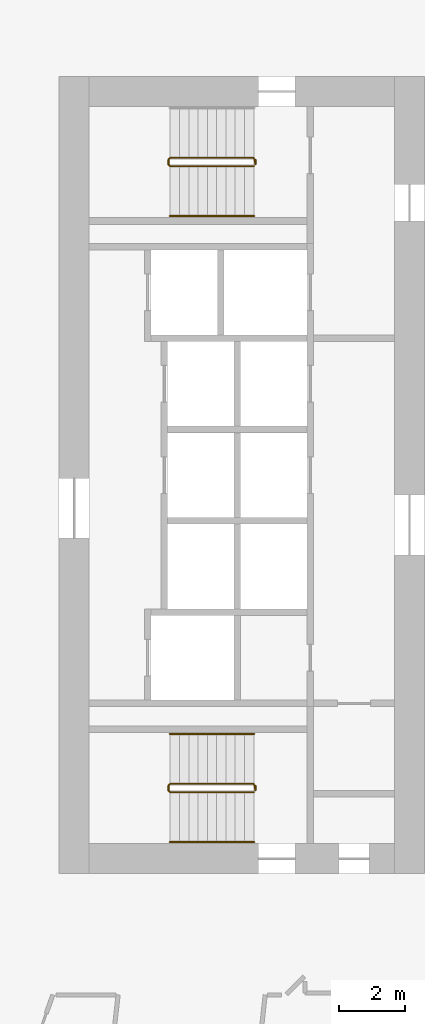
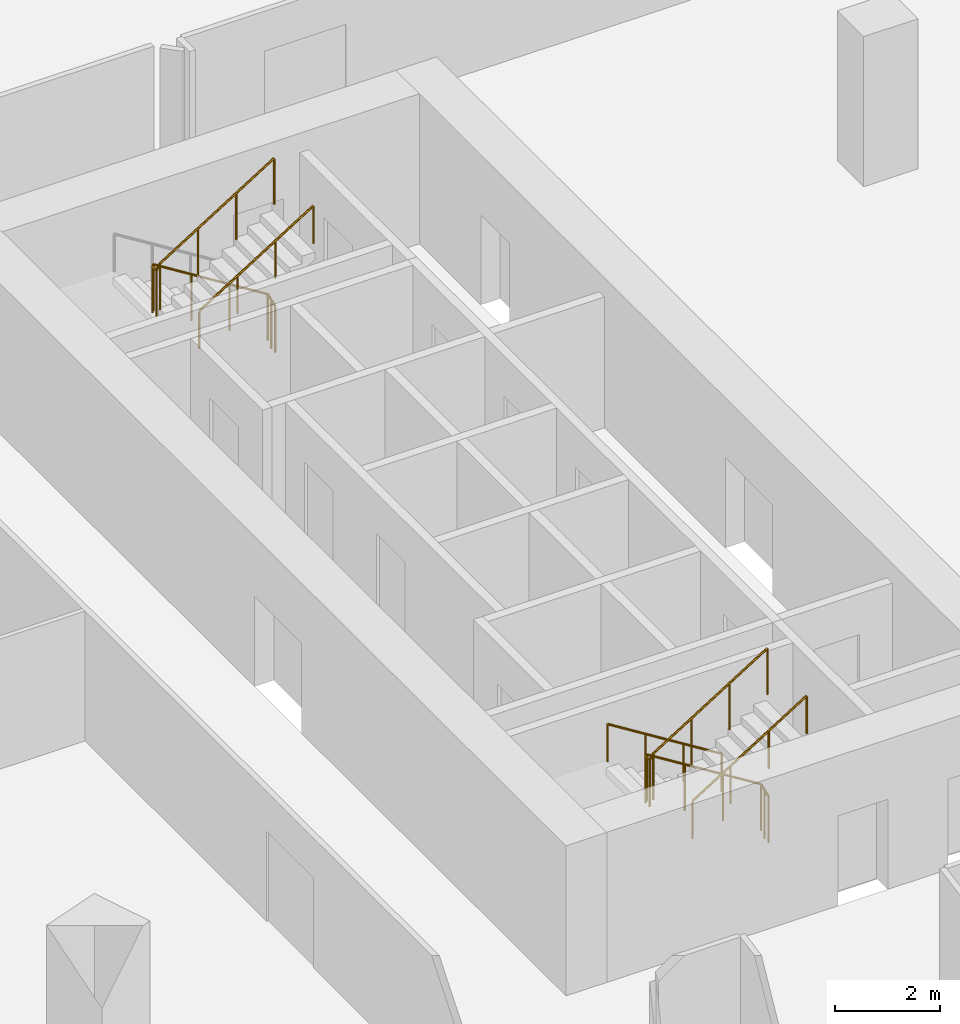
# One storey, part 34 of 38: 5 railings.
"""IFC4 building model written with IfcOpenShell, lengths in metres."""

from ifc_helpers import new_model, si_unit, direction, frame, origin, origin_2d, place, context, subcontext, project, spatial, circle, extrude, material, type_object, element, save


model = new_model("IFC4")

# Units and contexts
model_context = context("Model", 3, precision=1e-05, world=origin(), true_north=direction((0.0, 1.0)))
body_context = subcontext(model_context, "Body", "Model", "MODEL_VIEW")
ifc_project = project(units=[si_unit("LENGTHUNIT", "METRE"), si_unit("AREAUNIT", "SQUARE_METRE"), si_unit("VOLUMEUNIT", "CUBIC_METRE"), si_unit("PLANEANGLEUNIT", "RADIAN"), si_unit("MASSUNIT", "GRAM", prefix="KILO")], contexts=[model_context])

# Site, building, storey
site_placement = place(None, origin())
site = spatial("IfcSite", under=ifc_project, at=site_placement, CompositionType="ELEMENT")
building_placement = place(site_placement, origin())
building = spatial("IfcBuilding", under=site, at=building_placement, Name="Orlundy Tower", CompositionType="ELEMENT")
storey_placement = place(building_placement, frame((0.0, 0.0, 72.800048828125)))
storey = spatial("IfcBuildingStorey", under=building, at=storey_placement, Name="L17", CompositionType="ELEMENT", Elevation=72.800048828125)

# Railings
ifc_material_1 = material(Name="Steel balustrade", Category="steel")
railing_type_1 = type_object("IfcRailingType", Name="Stair Guard 1100", PredefinedType="GUARDRAIL", material=ifc_material_1)
railing_1_placement = place(storey_placement, frame((-13.090087890625, 9.5, 0.0)))
element("IfcRailing", 1, at=railing_1_placement, inside=storey, type_object=railing_type_1, Name="L17 ST-W1 stair guard 1", PredefinedType="GUARDRAIL", context=body_context, shape_type="SweptSolid", body=[
    extrude(circle(Radius=0.02392578125, at=origin_2d()), frame((0.0, 0.0, 1.076171875), z_axis=(0.0, -1.0, 0.0), x_axis=(1.0, 0.0, 0.0)), (0.0, 0.0, 1.0), 0.14990234375),
    extrude(circle(Radius=0.02392578125, at=origin_2d()), frame((0.0, -0.14990234375, 1.076171875), z_axis=(-0.18420542264, 0.739530593833, 0.647427882513), x_axis=(-0.970351222016, -0.241699205484, 0.0)), (0.0, 0.0, 1.0), 0.270263671875),
    extrude(circle(Radius=0.02392578125, at=origin_2d()), frame((-0.0498046875, 0.050048828125, 1.2509765625), z_axis=(-0.848007534815, 0.0, 0.529984170421), x_axis=(0.0, -1.0, 0.0)), (0.0, 0.0, 1.0), 2.9716796875),
    extrude(circle(Radius=0.02392578125, at=origin_2d()), frame((-2.56982421875, 0.050048828125, 2.826171875), z_axis=(-0.707106781187, -0.707106781187, 0.0), x_axis=(0.707106781187, -0.707106781187, 0.0)), (0.0, 0.0, 1.0), 0.07080078125),
    extrude(circle(Radius=0.02392578125, at=origin_2d()), frame((-2.619873046875, 0.0, 2.826171875), z_axis=(0.0, -1.0, 0.0), x_axis=(1.0, 0.0, 0.0)), (0.0, 0.0, 1.0), 0.14990234375),
    extrude(circle(Radius=0.02392578125, at=origin_2d()), frame((-2.619873046875, -0.14990234375, 2.826171875), z_axis=(0.265065253269, -0.265065253269, 0.927081885822), x_axis=(0.707106781187, 0.707106781187, 0.0)), (0.0, 0.0, 1.0), 0.188720703125),
    extrude(circle(Radius=0.02392578125, at=origin_2d()), frame((-2.56982421875, -0.199951171875, 3.0009765625), z_axis=(0.848007534815, 0.0, 0.529984170421), x_axis=(0.0, 1.0, 0.0)), (0.0, 0.0, 1.0), 2.9716796875),
    extrude(circle(Radius=0.02099609375, at=origin_2d()), origin(), (0.0, 0.0, 1.0), 1.052001953125),
    extrude(circle(Radius=0.02099609375, at=origin_2d()), frame((0.0, -0.14990234375, 0.0)), (0.0, 0.0, 1.0), 1.052001953125),
    extrude(circle(Radius=0.02099609375, at=origin_2d()), frame((-0.0498046875, 0.050048828125, 0.175048828125)), (0.0, 0.0, 1.0), 1.052001953125),
    extrude(circle(Radius=0.02099609375, at=origin_2d()), frame((-0.889892578125, 0.050048828125, 0.699951171875)), (0.0, 0.0, 1.0), 1.052001953125),
    extrude(circle(Radius=0.02099609375, at=origin_2d()), frame((-1.729736328125, 0.050048828125, 1.22509765625)), (0.0, 0.0, 1.0), 1.052001953125),
    extrude(circle(Radius=0.02099609375, at=origin_2d()), frame((-2.56982421875, 0.050048828125, 1.75)), (0.0, 0.0, 1.0), 1.052001953125),
    extrude(circle(Radius=0.02099609375, at=origin_2d()), frame((-2.619873046875, 0.0, 1.75)), (0.0, 0.0, 1.0), 1.052001953125),
    extrude(circle(Radius=0.02099609375, at=origin_2d()), frame((-2.619873046875, -0.14990234375, 1.75)), (0.0, 0.0, 1.0), 1.052001953125),
    extrude(circle(Radius=0.02099609375, at=origin_2d()), frame((-2.56982421875, -0.199951171875, 1.925048828125)), (0.0, 0.0, 1.0), 1.052001953125),
    extrude(circle(Radius=0.02099609375, at=origin_2d()), frame((-1.729736328125, -0.199951171875, 2.449951171875)), (0.0, 0.0, 1.0), 1.052001953125),
    extrude(circle(Radius=0.02099609375, at=origin_2d()), frame((-0.889892578125, -0.199951171875, 2.97509765625)), (0.0, 0.0, 1.0), 1.052001953125),
    extrude(circle(Radius=0.02099609375, at=origin_2d()), frame((-0.0498046875, -0.199951171875, 3.5)), (0.0, 0.0, 1.0), 1.052001953125),
])
railing_2_placement = place(storey_placement, frame((-13.090087890625, -9.35009765625, 0.0)))
element("IfcRailing", 2, at=railing_2_placement, inside=storey, type_object=railing_type_1, Name="L17 ST-W2 stair guard 1", PredefinedType="GUARDRAIL", context=body_context, shape_type="SweptSolid", body=[
    extrude(circle(Radius=0.02392578125, at=origin_2d()), frame((0.0, 0.0, 1.076171875), z_axis=(0.0, -1.0, 0.0), x_axis=(1.0, 0.0, 0.0)), (0.0, 0.0, 1.0), 0.14990234375),
    extrude(circle(Radius=0.02392578125, at=origin_2d()), frame((0.0, -0.14990234375, 1.076171875), z_axis=(-0.18420542264, 0.739530593833, 0.647427882513), x_axis=(-0.970351222016, -0.241699205484, 0.0)), (0.0, 0.0, 1.0), 0.270263671875),
    extrude(circle(Radius=0.02392578125, at=origin_2d()), frame((-0.0498046875, 0.050048828125, 1.2509765625), z_axis=(-0.848007534815, 0.0, 0.529984170421), x_axis=(0.0, -1.0, 0.0)), (0.0, 0.0, 1.0), 2.9716796875),
    extrude(circle(Radius=0.02392578125, at=origin_2d()), frame((-2.56982421875, 0.050048828125, 2.826171875), z_axis=(-0.707106781187, -0.707106781187, 0.0), x_axis=(0.707106781187, -0.707106781187, 0.0)), (0.0, 0.0, 1.0), 0.07080078125),
    extrude(circle(Radius=0.02392578125, at=origin_2d()), frame((-2.619873046875, 0.0, 2.826171875), z_axis=(0.0, -1.0, 0.0), x_axis=(1.0, 0.0, 0.0)), (0.0, 0.0, 1.0), 0.14990234375),
    extrude(circle(Radius=0.02392578125, at=origin_2d()), frame((-2.619873046875, -0.14990234375, 2.826171875), z_axis=(0.265065253269, -0.265065253269, 0.927081885822), x_axis=(0.707106781187, 0.707106781187, 0.0)), (0.0, 0.0, 1.0), 0.188720703125),
    extrude(circle(Radius=0.02392578125, at=origin_2d()), frame((-2.56982421875, -0.199951171875, 3.0009765625), z_axis=(0.848007534815, 0.0, 0.529984170421), x_axis=(0.0, 1.0, 0.0)), (0.0, 0.0, 1.0), 2.9716796875),
    extrude(circle(Radius=0.02099609375, at=origin_2d()), origin(), (0.0, 0.0, 1.0), 1.052001953125),
    extrude(circle(Radius=0.02099609375, at=origin_2d()), frame((0.0, -0.14990234375, 0.0)), (0.0, 0.0, 1.0), 1.052001953125),
    extrude(circle(Radius=0.02099609375, at=origin_2d()), frame((-0.0498046875, 0.050048828125, 0.175048828125)), (0.0, 0.0, 1.0), 1.052001953125),
    extrude(circle(Radius=0.02099609375, at=origin_2d()), frame((-0.889892578125, 0.050048828125, 0.699951171875)), (0.0, 0.0, 1.0), 1.052001953125),
    extrude(circle(Radius=0.02099609375, at=origin_2d()), frame((-1.729736328125, 0.050048828125, 1.22509765625)), (0.0, 0.0, 1.0), 1.052001953125),
    extrude(circle(Radius=0.02099609375, at=origin_2d()), frame((-2.56982421875, 0.050048828125, 1.75)), (0.0, 0.0, 1.0), 1.052001953125),
    extrude(circle(Radius=0.02099609375, at=origin_2d()), frame((-2.619873046875, 0.0, 1.75)), (0.0, 0.0, 1.0), 1.052001953125),
    extrude(circle(Radius=0.02099609375, at=origin_2d()), frame((-2.619873046875, -0.14990234375, 1.75)), (0.0, 0.0, 1.0), 1.052001953125),
    extrude(circle(Radius=0.02099609375, at=origin_2d()), frame((-2.56982421875, -0.199951171875, 1.925048828125)), (0.0, 0.0, 1.0), 1.052001953125),
    extrude(circle(Radius=0.02099609375, at=origin_2d()), frame((-1.729736328125, -0.199951171875, 2.449951171875)), (0.0, 0.0, 1.0), 1.052001953125),
    extrude(circle(Radius=0.02099609375, at=origin_2d()), frame((-0.889892578125, -0.199951171875, 2.97509765625)), (0.0, 0.0, 1.0), 1.052001953125),
    extrude(circle(Radius=0.02099609375, at=origin_2d()), frame((-0.0498046875, -0.199951171875, 3.5)), (0.0, 0.0, 1.0), 1.052001953125),
])
ifc_material_2 = material(Name="Steel handrail", Category="steel")
railing_type_2 = type_object("IfcRailingType", Name="Stair Handrail 900", PredefinedType="HANDRAIL", material=ifc_material_2)
railing_3_placement = place(storey_placement, frame((-15.659912109375, 7.800048828125, 1.925048828125)))
element("IfcRailing", 3, at=railing_3_placement, inside=storey, type_object=railing_type_2, Name="L17 ST-W1 stair handrail 2", PredefinedType="HANDRAIL", context=body_context, shape_type="SweptSolid", body=[
    extrude(circle(Radius=0.02392578125, at=origin_2d()), frame((0.0, 0.0, 0.8759765625), z_axis=(0.848007534815, 0.0, 0.529984170421), x_axis=(0.0, 1.0, 0.0)), (0.0, 0.0, 1.0), 2.9716796875),
    extrude(circle(Radius=0.02099609375, at=origin_2d()), origin(), (0.0, 0.0, 1.0), 0.851806640625),
    extrude(circle(Radius=0.02099609375, at=origin_2d()), frame((0.840087890625, 0.0, 0.52490234375)), (0.0, 0.0, 1.0), 0.851806640625),
    extrude(circle(Radius=0.02099609375, at=origin_2d()), frame((1.679931640625, 0.0, 1.050048828125)), (0.0, 0.0, 1.0), 0.851806640625),
    extrude(circle(Radius=0.02099609375, at=origin_2d()), frame((2.52001953125, 0.0, 1.574951171875)), (0.0, 0.0, 1.0), 0.851806640625),
])
railing_4_placement = place(storey_placement, frame((-13.139892578125, -7.800048828125, 0.175048828125)))
element("IfcRailing", 4, at=railing_4_placement, inside=storey, type_object=railing_type_2, Name="L17 ST-W2 stair handrail 1", PredefinedType="HANDRAIL", context=body_context, shape_type="SweptSolid", body=[
    extrude(circle(Radius=0.02392578125, at=origin_2d()), frame((0.0, 0.0, 0.8759765625), z_axis=(-0.848007534815, 0.0, 0.529984170421), x_axis=(0.0, -1.0, 0.0)), (0.0, 0.0, 1.0), 2.9716796875),
    extrude(circle(Radius=0.02099609375, at=origin_2d()), origin(), (0.0, 0.0, 1.0), 0.851806640625),
    extrude(circle(Radius=0.02099609375, at=origin_2d()), frame((-0.840087890625, 0.0, 0.52490234375)), (0.0, 0.0, 1.0), 0.851806640625),
    extrude(circle(Radius=0.02099609375, at=origin_2d()), frame((-1.679931640625, 0.0, 1.050048828125)), (0.0, 0.0, 1.0), 0.851806640625),
    extrude(circle(Radius=0.02099609375, at=origin_2d()), frame((-2.52001953125, 0.0, 1.574951171875)), (0.0, 0.0, 1.0), 0.851806640625),
])
railing_5_placement = place(storey_placement, frame((-15.659912109375, -11.050048828125, 1.925048828125)))
element("IfcRailing", 5, at=railing_5_placement, inside=storey, type_object=railing_type_2, Name="L17 ST-W2 stair handrail 2", PredefinedType="HANDRAIL", context=body_context, shape_type="SweptSolid", body=[
    extrude(circle(Radius=0.02392578125, at=origin_2d()), frame((0.0, 0.0, 0.8759765625), z_axis=(0.848007534815, 0.0, 0.529984170421), x_axis=(0.0, 1.0, 0.0)), (0.0, 0.0, 1.0), 2.9716796875),
    extrude(circle(Radius=0.02099609375, at=origin_2d()), origin(), (0.0, 0.0, 1.0), 0.851806640625),
    extrude(circle(Radius=0.02099609375, at=origin_2d()), frame((0.840087890625, 0.0, 0.52490234375)), (0.0, 0.0, 1.0), 0.851806640625),
    extrude(circle(Radius=0.02099609375, at=origin_2d()), frame((1.679931640625, 0.0, 1.050048828125)), (0.0, 0.0, 1.0), 0.851806640625),
    extrude(circle(Radius=0.02099609375, at=origin_2d()), frame((2.52001953125, 0.0, 1.574951171875)), (0.0, 0.0, 1.0), 0.851806640625),
])

save(model, "model.ifc")
